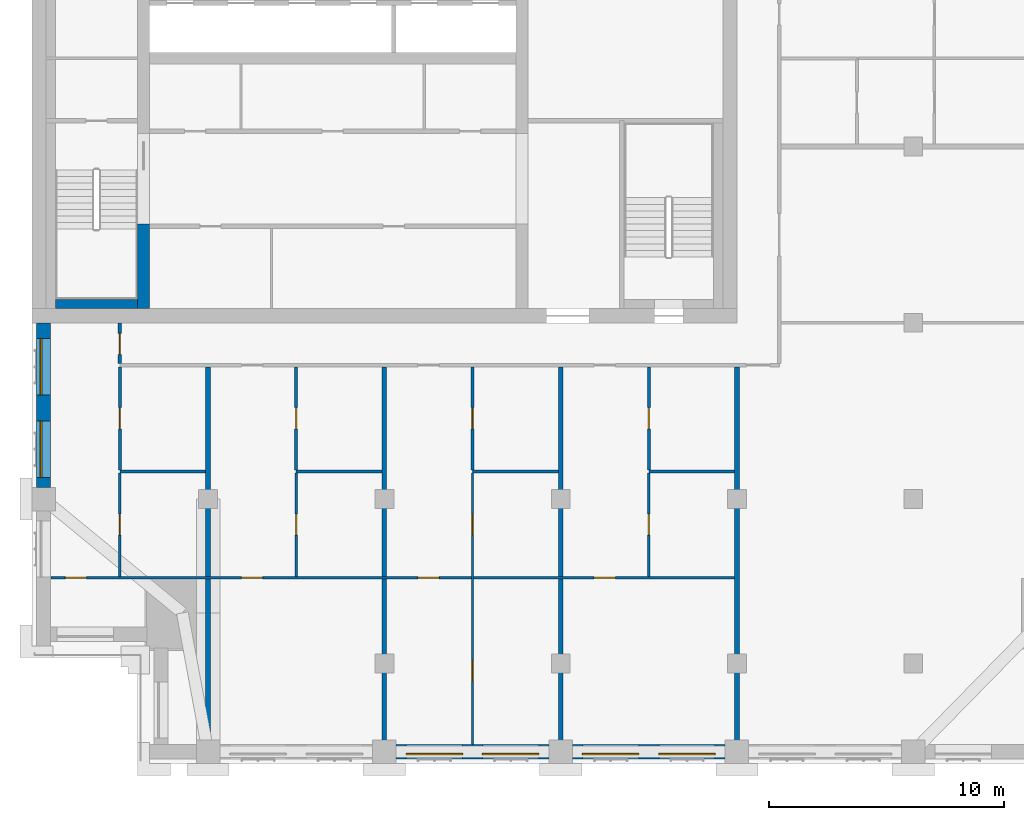
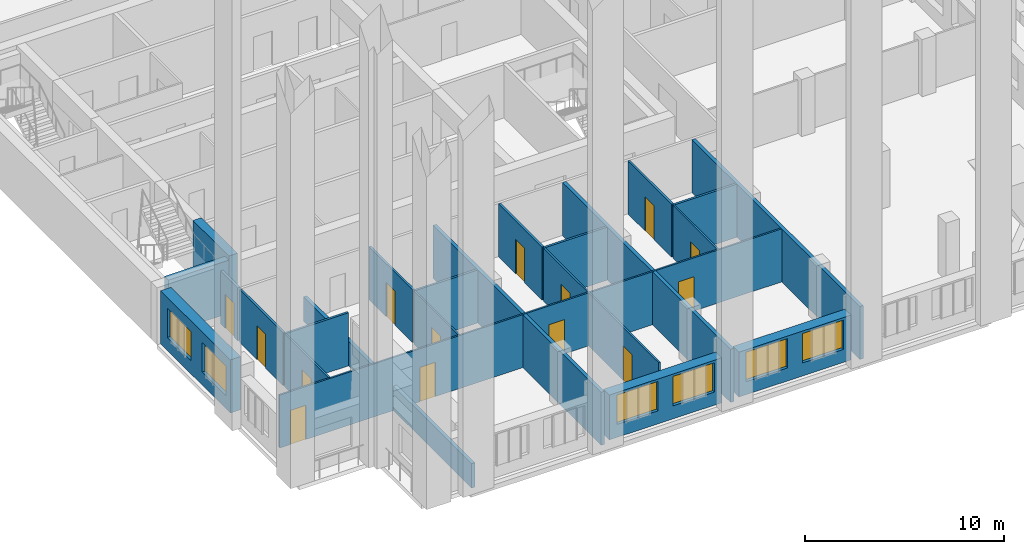
# One storey, part 3 of 12: 23 walls, 14 doors, 6 windows, 20 openings.
"""IFC4 building model written with IfcOpenShell, lengths in metres."""

from ifc_helpers import new_model, si_unit, direction, frame, frame_2d, origin, place, context, subcontext, project, spatial, rectangle, extrude, material, layer, layer_set, type_object, element, fill, save


model = new_model("IFC4")

# Units and contexts
model_context = context("Model", 3, precision=1e-05, world=origin(), true_north=direction((0.0, 1.0)))
body_context = subcontext(model_context, "Body", "Model", "MODEL_VIEW")
ifc_project = project(units=[si_unit("LENGTHUNIT", "METRE"), si_unit("AREAUNIT", "SQUARE_METRE"), si_unit("VOLUMEUNIT", "CUBIC_METRE"), si_unit("PLANEANGLEUNIT", "RADIAN"), si_unit("MASSUNIT", "GRAM", prefix="KILO")], contexts=[model_context])

# Site, building, storey
site_placement = place(None, origin())
site = spatial("IfcSite", under=ifc_project, at=site_placement, CompositionType="ELEMENT")
building_placement = place(site_placement, origin())
building = spatial("IfcBuilding", under=site, at=building_placement, Name="Tamorin Gate", CompositionType="ELEMENT")
storey_placement = place(building_placement, frame((0.0, 0.0, 219.699951171875)))
storey = spatial("IfcBuildingStorey", under=building, at=storey_placement, Name="L54", CompositionType="ELEMENT", Elevation=219.699951171875)

# Wall, openings, windows
ifc_material_1 = material(Name="Precast concrete C40/50", Category="concrete")
ifc_layer_1 = layer(ifc_material_1, 0.60009765625)
ifc_layer_set_1 = layer_set([ifc_layer_1], Name="Precast concrete C40/50")
wall_type_1 = type_object("IfcWallType", Name="Board-marked concrete facade panel 600", PredefinedType="SOLIDWALL", material=ifc_layer_set_1)
wall_1_placement = place(storey_placement, frame((45.5, 41.75, 0.0), z_axis=(0.0, 0.0, 1.0), x_axis=(1.0, 0.0, 0.0)))
wall_1 = element("IfcWall", 1, at=wall_1_placement, inside=storey, type_object=wall_type_1, Name="Facade panel", PredefinedType="SOLIDWALL", context=body_context, shape_type="SweptSolid", body=[
    extrude(rectangle(XDim=6.5, YDim=0.60009765625, at=frame_2d((3.25, 0.0))), origin(), (0.0, 0.0, 1.0), 2.75),
])
opening_1_placement = place(wall_1_placement, frame((0.425048828125, 0.0, 0.800048828125)))
opening_1 = element("IfcOpeningElement", 2, at=opening_1_placement, cuts=wall_1, Name="Opening WN1", PredefinedType="OPENING", context=body_context, shape_type="SweptSolid", body=[
    extrude(rectangle(XDim=2.39990234375, YDim=1.800048828125, at=frame_2d((1.199951171875, 0.89990234375))), frame((0.0, 0.31005859375, 0.0), z_axis=(0.0, -1.0, 0.0), x_axis=(1.0, 0.0, 0.0)), (0.0, 0.0, 1.0), 0.6201171875),
])
opening_2_placement = place(wall_1_placement, frame((3.675048828125, 0.0, 0.800048828125)))
opening_2 = element("IfcOpeningElement", 3, at=opening_2_placement, cuts=wall_1, Name="Opening WN1", PredefinedType="OPENING", context=body_context, shape_type="SweptSolid", body=[
    extrude(rectangle(XDim=2.39990234375, YDim=1.800048828125, at=frame_2d((1.199951171875, 0.89990234375))), frame((0.0, 0.31005859375, 0.0), z_axis=(0.0, -1.0, 0.0), x_axis=(1.0, 0.0, 0.0)), (0.0, 0.0, 1.0), 0.6201171875),
])
ifc_material_2 = material(Name="Clear glass in aluminium frame", Category="aluminium")
window_type = type_object("IfcWindowType", Name="Deep-set window 2400x1800", PartitioningType="SINGLE_PANEL", PredefinedType="WINDOW", material=ifc_material_2)
window_1_placement = place(opening_1_placement, origin())
window_1 = element("IfcWindow", 4, at=window_1_placement, inside=storey, type_object=window_type, Name="Deep-set window", OverallHeight=1.800048828125, OverallWidth=2.39990234375, PartitioningType="SINGLE_PANEL", PredefinedType="WINDOW", context=body_context, shape_type="SweptSolid", body=[
    extrude(rectangle(XDim=2.39990234375, YDim=1.800048828125, at=frame_2d((1.199951171875, 0.89990234375))), frame((0.0, -0.070068359375, 0.0), z_axis=(0.0, -1.0, 0.0), x_axis=(1.0, 0.0, 0.0)), (0.0, 0.0, 1.0), 0.06005859375),
])
fill(opening_1, window_1)
window_2_placement = place(opening_2_placement, origin())
window_2 = element("IfcWindow", 5, at=window_2_placement, inside=storey, type_object=window_type, Name="Deep-set window", OverallHeight=1.800048828125, OverallWidth=2.39990234375, PartitioningType="SINGLE_PANEL", PredefinedType="WINDOW", context=body_context, shape_type="SweptSolid", body=[
    extrude(rectangle(XDim=2.39990234375, YDim=1.800048828125, at=frame_2d((1.199951171875, 0.89990234375))), frame((0.0, -0.070068359375, 0.0), z_axis=(0.0, -1.0, 0.0), x_axis=(1.0, 0.0, 0.0)), (0.0, 0.0, 1.0), 0.06005859375),
])
fill(opening_2, window_2)

wall_2_placement = place(storey_placement, frame((53.0, 41.75, 0.0), z_axis=(0.0, 0.0, 1.0), x_axis=(1.0, 0.0, 0.0)))
wall_2 = element("IfcWall", 6, at=wall_2_placement, inside=storey, type_object=wall_type_1, Name="Facade panel", PredefinedType="SOLIDWALL", context=body_context, shape_type="SweptSolid", body=[
    extrude(rectangle(XDim=6.5, YDim=0.60009765625, at=frame_2d((3.25, 0.0))), origin(), (0.0, 0.0, 1.0), 2.75),
])
opening_3_placement = place(wall_2_placement, frame((0.425048828125, 0.0, 0.800048828125)))
opening_3 = element("IfcOpeningElement", 7, at=opening_3_placement, cuts=wall_2, Name="Opening WN1", PredefinedType="OPENING", context=body_context, shape_type="SweptSolid", body=[
    extrude(rectangle(XDim=2.39990234375, YDim=1.800048828125, at=frame_2d((1.199951171875, 0.89990234375))), frame((0.0, 0.31005859375, 0.0), z_axis=(0.0, -1.0, 0.0), x_axis=(1.0, 0.0, 0.0)), (0.0, 0.0, 1.0), 0.6201171875),
])
opening_4_placement = place(wall_2_placement, frame((3.675048828125, 0.0, 0.800048828125)))
opening_4 = element("IfcOpeningElement", 8, at=opening_4_placement, cuts=wall_2, Name="Opening WN1", PredefinedType="OPENING", context=body_context, shape_type="SweptSolid", body=[
    extrude(rectangle(XDim=2.39990234375, YDim=1.800048828125, at=frame_2d((1.199951171875, 0.89990234375))), frame((0.0, 0.31005859375, 0.0), z_axis=(0.0, -1.0, 0.0), x_axis=(1.0, 0.0, 0.0)), (0.0, 0.0, 1.0), 0.6201171875),
])
window_3_placement = place(opening_3_placement, origin())
window_3 = element("IfcWindow", 9, at=window_3_placement, inside=storey, type_object=window_type, Name="Deep-set window", OverallHeight=1.800048828125, OverallWidth=2.39990234375, PartitioningType="SINGLE_PANEL", PredefinedType="WINDOW", context=body_context, shape_type="SweptSolid", body=[
    extrude(rectangle(XDim=2.39990234375, YDim=1.800048828125, at=frame_2d((1.199951171875, 0.89990234375))), frame((0.0, -0.070068359375, 0.0), z_axis=(0.0, -1.0, 0.0), x_axis=(1.0, 0.0, 0.0)), (0.0, 0.0, 1.0), 0.06005859375),
])
fill(opening_3, window_3)
window_4_placement = place(opening_4_placement, origin())
window_4 = element("IfcWindow", 10, at=window_4_placement, inside=storey, type_object=window_type, Name="Deep-set window", OverallHeight=1.800048828125, OverallWidth=2.39990234375, PartitioningType="SINGLE_PANEL", PredefinedType="WINDOW", context=body_context, shape_type="SweptSolid", body=[
    extrude(rectangle(XDim=2.39990234375, YDim=1.800048828125, at=frame_2d((1.199951171875, 0.89990234375))), frame((0.0, -0.070068359375, 0.0), z_axis=(0.0, -1.0, 0.0), x_axis=(1.0, 0.0, 0.0)), (0.0, 0.0, 1.0), 0.06005859375),
])
fill(opening_4, window_4)

wall_3_placement = place(storey_placement, frame((30.5, 60.0, 0.0), z_axis=(0.0, 0.0, 1.0), x_axis=(0.0, -1.0, 0.0)))
wall_3 = element("IfcWall", 11, at=wall_3_placement, inside=storey, type_object=wall_type_1, Name="Facade panel", PredefinedType="SOLIDWALL", context=body_context, shape_type="SweptSolid", body=[
    extrude(rectangle(XDim=7.0, YDim=0.60009765625, at=frame_2d((3.5, 0.0))), origin(), (0.0, 0.0, 1.0), 3.25),
])
opening_5_placement = place(wall_3_placement, frame((4.175048828125, 0.0, 0.800048828125)))
opening_5 = element("IfcOpeningElement", 12, at=opening_5_placement, cuts=wall_3, Name="Opening WN1", PredefinedType="OPENING", context=body_context, shape_type="SweptSolid", body=[
    extrude(rectangle(XDim=2.39990234375, YDim=1.800048828125, at=frame_2d((1.199951171875, 0.89990234375))), frame((0.0, 0.31005859375, 0.0), z_axis=(0.0, -1.0, 0.0), x_axis=(1.0, 0.0, 0.0)), (0.0, 0.0, 1.0), 0.6201171875),
])
opening_6_placement = place(wall_3_placement, frame((0.675048828125, 0.0, 0.800048828125)))
opening_6 = element("IfcOpeningElement", 13, at=opening_6_placement, cuts=wall_3, Name="Opening WN1", PredefinedType="OPENING", context=body_context, shape_type="SweptSolid", body=[
    extrude(rectangle(XDim=2.39990234375, YDim=1.800048828125, at=frame_2d((1.199951171875, 0.89990234375))), frame((0.0, 0.31005859375, 0.0), z_axis=(0.0, -1.0, 0.0), x_axis=(1.0, 0.0, 0.0)), (0.0, 0.0, 1.0), 0.6201171875),
])
window_5_placement = place(opening_5_placement, origin())
window_5 = element("IfcWindow", 14, at=window_5_placement, inside=storey, type_object=window_type, Name="Deep-set window", OverallHeight=1.800048828125, OverallWidth=2.39990234375, PartitioningType="SINGLE_PANEL", PredefinedType="WINDOW", context=body_context, shape_type="SweptSolid", body=[
    extrude(rectangle(XDim=2.39990234375, YDim=1.800048828125, at=frame_2d((1.199951171875, 0.89990234375))), frame((0.0, -0.070068359375, 0.0), z_axis=(0.0, -1.0, 0.0), x_axis=(1.0, 0.0, 0.0)), (0.0, 0.0, 1.0), 0.06005859375),
])
fill(opening_5, window_5)
window_6_placement = place(opening_6_placement, origin())
window_6 = element("IfcWindow", 15, at=window_6_placement, inside=storey, type_object=window_type, Name="Deep-set window", OverallHeight=1.800048828125, OverallWidth=2.39990234375, PartitioningType="SINGLE_PANEL", PredefinedType="WINDOW", context=body_context, shape_type="SweptSolid", body=[
    extrude(rectangle(XDim=2.39990234375, YDim=1.800048828125, at=frame_2d((1.199951171875, 0.89990234375))), frame((0.0, -0.070068359375, 0.0), z_axis=(0.0, -1.0, 0.0), x_axis=(1.0, 0.0, 0.0)), (0.0, 0.0, 1.0), 0.06005859375),
])
fill(opening_6, window_6)

# Wall, opening, door
ifc_material_3 = material(Name="Gypsum board partition")
ifc_layer_2 = layer(ifc_material_3, 0.14990234375)
ifc_layer_set_2 = layer_set([ifc_layer_2], Name="Corridor wall 150")
wall_type_2 = type_object("IfcWallType", Name="Corridor wall 150", PredefinedType="PARTITIONING", material=ifc_layer_set_2)
wall_4_placement = place(storey_placement, frame((33.75, 58.27490234375, 0.0), z_axis=(0.0, 0.0, 1.0), x_axis=(0.0, 1.0, 0.0)))
wall_4 = element("IfcWall", 16, at=wall_4_placement, inside=storey, type_object=wall_type_2, Name="Corridor wall 150", PredefinedType="PARTITIONING", context=body_context, shape_type="SweptSolid", body=[
    extrude(rectangle(XDim=1.72509765625, YDim=0.14990234375, at=frame_2d((0.862548828125, 0.0))), origin(), (0.0, 0.0, 1.0), 3.25),
])
opening_7_placement = place(wall_4_placement, frame((0.375, 0.0, 0.0)))
opening_7 = element("IfcOpeningElement", 17, at=opening_7_placement, cuts=wall_4, Name="Opening DTF5001", PredefinedType="OPENING", context=body_context, shape_type="SweptSolid", body=[
    extrude(rectangle(XDim=0.89990234375, YDim=2.10009765625, at=frame_2d((0.449951171875, 1.050048828125))), frame((0.0, 0.0849609375, 0.0), z_axis=(0.0, -1.0, 0.0), x_axis=(1.0, 0.0, 0.0)), (0.0, 0.0, 1.0), 0.169921875),
])
ifc_material_4 = material(Name="Timber door leaf", Category="wood")
door_type_1 = type_object("IfcDoorType", Name="Door 900 x 2100 FD30S", OperationType="NOTDEFINED", PredefinedType="DOOR", material=ifc_material_4)
door_1_placement = place(opening_7_placement, origin())
door_1 = element("IfcDoor", 18, at=door_1_placement, inside=storey, type_object=door_type_1, Name="Door DTF5001", OperationType="SINGLE_SWING_RIGHT", OverallHeight=2.10009765625, OverallWidth=0.89990234375, PredefinedType="DOOR", context=body_context, shape_type="SweptSolid", body=[
    extrude(rectangle(XDim=0.89990234375, YDim=2.10009765625, at=frame_2d((0.449951171875, 1.050048828125))), frame((0.0, 0.02490234375, 0.0), z_axis=(0.0, -1.0, 0.0), x_axis=(1.0, 0.0, 0.0)), (0.0, 0.0, 1.0), 0.050048828125),
])
fill(opening_7, door_1)

# Walls
ifc_layer_3 = layer(ifc_material_3, 0.199951171875)
ifc_layer_set_3 = layer_set([ifc_layer_3], Name="Demising wall 200")
wall_type_3 = type_object("IfcWallType", Name="Demising wall 200", PredefinedType="PARTITIONING", material=ifc_layer_set_3)
wall_5_placement = place(storey_placement, frame((37.5, 41.25, 0.0), z_axis=(0.0, 0.0, 1.0), x_axis=(0.0, 1.0, 0.0)))
element("IfcWall", 19, at=wall_5_placement, inside=storey, type_object=wall_type_3, Name="Demising wall 200", PredefinedType="PARTITIONING", context=body_context, shape_type="SweptSolid", body=[
    extrude(rectangle(XDim=16.875, YDim=0.199951171875, at=frame_2d((8.4375, 0.0))), origin(), (0.0, 0.0, 1.0), 1.5),
])
for number, where, z_axis, x_axis, name in (
    (20, (45.0, 41.25, 0.0), (0.0, 0.0, 1.0), (0.0, 1.0, 0.0), "Demising wall 200"),
    (21, (52.5, 41.25, 0.0), (0.0, 0.0, 1.0), (0.0, 1.0, 0.0), "Demising wall 200"),
    (22, (60.0, 41.25, 0.0), (0.0, 0.0, 1.0), (0.0, 1.0, 0.0), "Demising wall 200"),
):
    element("IfcWall", number, at=place(storey_placement, frame(where, z_axis=z_axis, x_axis=x_axis)), inside=storey, type_object=wall_type_3, Name=name, PredefinedType="PARTITIONING", context=body_context, shape_type="SweptSolid", body=[
        extrude(rectangle(XDim=16.875, YDim=0.199951171875, at=frame_2d((8.4375, 0.0))), origin(), (0.0, 0.0, 1.0), 3.25),
    ])
ifc_material_5 = material(Name="Concrete C50/60", Category="concrete")
ifc_layer_4 = layer(ifc_material_5, 0.5)
ifc_layer_set_4 = layer_set([ifc_layer_4], Name="RC core internal wall 500 C50/60")
wall_type_4 = type_object("IfcWallType", Name="RC core internal wall 500 C50/60", PredefinedType="SHEAR", material=ifc_layer_set_4)
wall_6_placement = place(storey_placement, frame((34.75, 60.60009765625, 0.0), z_axis=(0.0, 0.0, 1.0), x_axis=(0.0, 1.0, 0.0)))
element("IfcWall", 23, at=wall_6_placement, inside=storey, type_object=wall_type_4, Name="Core cross wall L54", PredefinedType="SHEAR", context=body_context, shape_type="SweptSolid", body=[
    extrude(rectangle(XDim=3.599853515625, YDim=0.5, at=frame_2d((1.7998046875, 0.0))), origin(), (0.0, 0.0, 1.0), 3.5),
])

# Wall, openings, doors
ifc_layer_5 = layer(ifc_material_3, 0.10009765625)
ifc_layer_set_5 = layer_set([ifc_layer_5], Name="Room partition 100")
wall_type_5 = type_object("IfcWallType", Name="Room partition 100", PredefinedType="PARTITIONING", material=ifc_layer_set_5)
wall_7_placement = place(storey_placement, frame((30.81005859375, 49.14990234375, 0.0), z_axis=(0.0, 0.0, 1.0), x_axis=(1.0, 0.0, 0.0)))
wall_7 = element("IfcWall", 24, at=wall_7_placement, inside=storey, type_object=wall_type_5, Name="Room partition 100", PredefinedType="PARTITIONING", context=body_context, shape_type="SweptSolid", body=[
    extrude(rectangle(XDim=29.08984375, YDim=0.10009765625, at=frame_2d((14.544921875, 0.0))), origin(), (0.0, 0.0, 1.0), 3.25),
])
opening_8_placement = place(wall_7_placement, frame((0.614990234375, 0.0, 0.0)))
opening_8 = element("IfcOpeningElement", 25, at=opening_8_placement, cuts=wall_7, Name="Opening DTF5002", PredefinedType="OPENING", context=body_context, shape_type="SweptSolid", body=[
    extrude(rectangle(XDim=0.89990234375, YDim=2.10009765625, at=frame_2d((0.449951171875, 1.050048828125))), frame((0.0, 0.06005859375, 0.0), z_axis=(0.0, -1.0, 0.0), x_axis=(1.0, 0.0, 0.0)), (0.0, 0.0, 1.0), 0.1201171875),
])
opening_9_placement = place(wall_7_placement, frame((8.114990234375, 0.0, 0.0)))
opening_9 = element("IfcOpeningElement", 26, at=opening_9_placement, cuts=wall_7, Name="Opening DTF5006", PredefinedType="OPENING", context=body_context, shape_type="SweptSolid", body=[
    extrude(rectangle(XDim=0.89990234375, YDim=2.10009765625, at=frame_2d((0.449951171875, 1.050048828125))), frame((0.0, 0.06005859375, 0.0), z_axis=(0.0, -1.0, 0.0), x_axis=(1.0, 0.0, 0.0)), (0.0, 0.0, 1.0), 0.1201171875),
])
opening_10_placement = place(wall_7_placement, frame((15.614990234375, 0.0, 0.0)))
opening_10 = element("IfcOpeningElement", 27, at=opening_10_placement, cuts=wall_7, Name="Opening DTF5010", PredefinedType="OPENING", context=body_context, shape_type="SweptSolid", body=[
    extrude(rectangle(XDim=0.89990234375, YDim=2.10009765625, at=frame_2d((0.449951171875, 1.050048828125))), frame((0.0, 0.06005859375, 0.0), z_axis=(0.0, -1.0, 0.0), x_axis=(1.0, 0.0, 0.0)), (0.0, 0.0, 1.0), 0.1201171875),
])
opening_11_placement = place(wall_7_placement, frame((23.114990234375, 0.0, 0.0)))
opening_11 = element("IfcOpeningElement", 28, at=opening_11_placement, cuts=wall_7, Name="Opening DTF5015", PredefinedType="OPENING", context=body_context, shape_type="SweptSolid", body=[
    extrude(rectangle(XDim=0.89990234375, YDim=2.10009765625, at=frame_2d((0.449951171875, 1.050048828125))), frame((0.0, 0.06005859375, 0.0), z_axis=(0.0, -1.0, 0.0), x_axis=(1.0, 0.0, 0.0)), (0.0, 0.0, 1.0), 0.1201171875),
])
door_type_2 = type_object("IfcDoorType", Name="Door 900 x 2100", OperationType="NOTDEFINED", PredefinedType="DOOR", material=ifc_material_4)
door_2_placement = place(opening_8_placement, origin())
door_2 = element("IfcDoor", 29, at=door_2_placement, inside=storey, type_object=door_type_2, Name="Door DTF5002", OperationType="SINGLE_SWING_LEFT", OverallHeight=2.10009765625, OverallWidth=0.89990234375, PredefinedType="DOOR", context=body_context, shape_type="SweptSolid", body=[
    extrude(rectangle(XDim=0.89990234375, YDim=2.10009765625, at=frame_2d((0.449951171875, 1.050048828125))), frame((0.0, 0.02490234375, 0.0), z_axis=(0.0, -1.0, 0.0), x_axis=(1.0, 0.0, 0.0)), (0.0, 0.0, 1.0), 0.050048828125),
])
fill(opening_8, door_2)
door_3_placement = place(opening_9_placement, origin())
door_3 = element("IfcDoor", 30, at=door_3_placement, inside=storey, type_object=door_type_2, Name="Door DTF5006", OperationType="SINGLE_SWING_LEFT", OverallHeight=2.10009765625, OverallWidth=0.89990234375, PredefinedType="DOOR", context=body_context, shape_type="SweptSolid", body=[
    extrude(rectangle(XDim=0.89990234375, YDim=2.10009765625, at=frame_2d((0.449951171875, 1.050048828125))), frame((0.0, 0.02490234375, 0.0), z_axis=(0.0, -1.0, 0.0), x_axis=(1.0, 0.0, 0.0)), (0.0, 0.0, 1.0), 0.050048828125),
])
fill(opening_9, door_3)
door_4_placement = place(opening_10_placement, origin())
door_4 = element("IfcDoor", 31, at=door_4_placement, inside=storey, type_object=door_type_2, Name="Door DTF5010", OperationType="SINGLE_SWING_LEFT", OverallHeight=2.10009765625, OverallWidth=0.89990234375, PredefinedType="DOOR", context=body_context, shape_type="SweptSolid", body=[
    extrude(rectangle(XDim=0.89990234375, YDim=2.10009765625, at=frame_2d((0.449951171875, 1.050048828125))), frame((0.0, 0.02490234375, 0.0), z_axis=(0.0, -1.0, 0.0), x_axis=(1.0, 0.0, 0.0)), (0.0, 0.0, 1.0), 0.050048828125),
])
fill(opening_10, door_4)
door_5_placement = place(opening_11_placement, origin())
door_5 = element("IfcDoor", 32, at=door_5_placement, inside=storey, type_object=door_type_2, Name="Door DTF5015", OperationType="SINGLE_SWING_LEFT", OverallHeight=2.10009765625, OverallWidth=0.89990234375, PredefinedType="DOOR", context=body_context, shape_type="SweptSolid", body=[
    extrude(rectangle(XDim=0.89990234375, YDim=2.10009765625, at=frame_2d((0.449951171875, 1.050048828125))), frame((0.0, 0.02490234375, 0.0), z_axis=(0.0, -1.0, 0.0), x_axis=(1.0, 0.0, 0.0)), (0.0, 0.0, 1.0), 0.050048828125),
])
fill(opening_11, door_5)

# Wall, opening, door
wall_8_placement = place(storey_placement, frame((33.75, 49.199951171875, 0.0), z_axis=(0.0, 0.0, 1.0), x_axis=(0.0, 1.0, 0.0)))
wall_8 = element("IfcWall", 33, at=wall_8_placement, inside=storey, type_object=wall_type_5, Name="Room partition 100", PredefinedType="PARTITIONING", context=body_context, shape_type="SweptSolid", body=[
    extrude(rectangle(XDim=4.41259765625, YDim=0.10009765625, at=frame_2d((2.206298828125, 0.0))), origin(), (0.0, 0.0, 1.0), 3.25),
])
opening_12_placement = place(wall_8_placement, frame((1.762451171875, 0.0, 0.0)))
opening_12 = element("IfcOpeningElement", 34, at=opening_12_placement, cuts=wall_8, Name="Opening DTF5003", PredefinedType="OPENING", context=body_context, shape_type="SweptSolid", body=[
    extrude(rectangle(XDim=0.89990234375, YDim=2.10009765625, at=frame_2d((0.449951171875, 1.050048828125))), frame((0.0, 0.06005859375, 0.0), z_axis=(0.0, -1.0, 0.0), x_axis=(1.0, 0.0, 0.0)), (0.0, 0.0, 1.0), 0.1201171875),
])
door_6_placement = place(opening_12_placement, origin())
door_6 = element("IfcDoor", 35, at=door_6_placement, inside=storey, type_object=door_type_2, Name="Door DTF5003", OperationType="SINGLE_SWING_LEFT", OverallHeight=2.10009765625, OverallWidth=0.89990234375, PredefinedType="DOOR", context=body_context, shape_type="SweptSolid", body=[
    extrude(rectangle(XDim=0.89990234375, YDim=2.10009765625, at=frame_2d((0.449951171875, 1.050048828125))), frame((0.0, 0.02490234375, 0.0), z_axis=(0.0, -1.0, 0.0), x_axis=(1.0, 0.0, 0.0)), (0.0, 0.0, 1.0), 0.050048828125),
])
fill(opening_12, door_6)

wall_9_placement = place(storey_placement, frame((41.25, 49.199951171875, 0.0), z_axis=(0.0, 0.0, 1.0), x_axis=(0.0, 1.0, 0.0)))
wall_9 = element("IfcWall", 36, at=wall_9_placement, inside=storey, type_object=wall_type_5, Name="Room partition 100", PredefinedType="PARTITIONING", context=body_context, shape_type="SweptSolid", body=[
    extrude(rectangle(XDim=4.41259765625, YDim=0.10009765625, at=frame_2d((2.206298828125, 0.0))), origin(), (0.0, 0.0, 1.0), 3.25),
])
opening_13_placement = place(wall_9_placement, frame((1.762451171875, 0.0, 0.0)))
opening_13 = element("IfcOpeningElement", 37, at=opening_13_placement, cuts=wall_9, Name="Opening DTF5007", PredefinedType="OPENING", context=body_context, shape_type="SweptSolid", body=[
    extrude(rectangle(XDim=0.89990234375, YDim=2.10009765625, at=frame_2d((0.449951171875, 1.050048828125))), frame((0.0, 0.06005859375, 0.0), z_axis=(0.0, -1.0, 0.0), x_axis=(1.0, 0.0, 0.0)), (0.0, 0.0, 1.0), 0.1201171875),
])
door_7_placement = place(opening_13_placement, origin())
door_7 = element("IfcDoor", 38, at=door_7_placement, inside=storey, type_object=door_type_2, Name="Door DTF5007", OperationType="SINGLE_SWING_LEFT", OverallHeight=2.10009765625, OverallWidth=0.89990234375, PredefinedType="DOOR", context=body_context, shape_type="SweptSolid", body=[
    extrude(rectangle(XDim=0.89990234375, YDim=2.10009765625, at=frame_2d((0.449951171875, 1.050048828125))), frame((0.0, 0.02490234375, 0.0), z_axis=(0.0, -1.0, 0.0), x_axis=(1.0, 0.0, 0.0)), (0.0, 0.0, 1.0), 0.050048828125),
])
fill(opening_13, door_7)

# Wall, openings, doors
wall_10_placement = place(storey_placement, frame((48.75, 42.06005859375, 0.0), z_axis=(0.0, 0.0, 1.0), x_axis=(0.0, 1.0, 0.0)))
wall_10 = element("IfcWall", 39, at=wall_10_placement, inside=storey, type_object=wall_type_5, Name="Room partition 100", PredefinedType="PARTITIONING", context=body_context, shape_type="SweptSolid", body=[
    extrude(rectangle(XDim=11.552490234375, YDim=0.10009765625, at=frame_2d((5.7763671875, 0.0))), origin(), (0.0, 0.0, 1.0), 3.25),
])
opening_14_placement = place(wall_10_placement, frame((8.902587890625, 0.0, 0.0)))
opening_14 = element("IfcOpeningElement", 40, at=opening_14_placement, cuts=wall_10, Name="Opening DTF5011", PredefinedType="OPENING", context=body_context, shape_type="SweptSolid", body=[
    extrude(rectangle(XDim=0.89990234375, YDim=2.10009765625, at=frame_2d((0.449951171875, 1.050048828125))), frame((0.0, 0.06005859375, 0.0), z_axis=(0.0, -1.0, 0.0), x_axis=(1.0, 0.0, 0.0)), (0.0, 0.0, 1.0), 0.1201171875),
])
opening_15_placement = place(wall_10_placement, frame((2.68994140625, 0.0, 0.0)))
opening_15 = element("IfcOpeningElement", 41, at=opening_15_placement, cuts=wall_10, Name="Opening DTF5013", PredefinedType="OPENING", context=body_context, shape_type="SweptSolid", body=[
    extrude(rectangle(XDim=0.89990234375, YDim=2.10009765625, at=frame_2d((0.449951171875, 1.050048828125))), frame((0.0, 0.06005859375, 0.0), z_axis=(0.0, -1.0, 0.0), x_axis=(1.0, 0.0, 0.0)), (0.0, 0.0, 1.0), 0.1201171875),
])
door_8_placement = place(opening_14_placement, origin())
door_8 = element("IfcDoor", 42, at=door_8_placement, inside=storey, type_object=door_type_2, Name="Door DTF5011", OperationType="SINGLE_SWING_LEFT", OverallHeight=2.10009765625, OverallWidth=0.89990234375, PredefinedType="DOOR", context=body_context, shape_type="SweptSolid", body=[
    extrude(rectangle(XDim=0.89990234375, YDim=2.10009765625, at=frame_2d((0.449951171875, 1.050048828125))), frame((0.0, 0.02490234375, 0.0), z_axis=(0.0, -1.0, 0.0), x_axis=(1.0, 0.0, 0.0)), (0.0, 0.0, 1.0), 0.050048828125),
])
fill(opening_14, door_8)
door_9_placement = place(opening_15_placement, origin())
door_9 = element("IfcDoor", 43, at=door_9_placement, inside=storey, type_object=door_type_2, Name="Door DTF5013", OperationType="SINGLE_SWING_LEFT", OverallHeight=2.10009765625, OverallWidth=0.89990234375, PredefinedType="DOOR", context=body_context, shape_type="SweptSolid", body=[
    extrude(rectangle(XDim=0.89990234375, YDim=2.10009765625, at=frame_2d((0.449951171875, 1.050048828125))), frame((0.0, 0.02490234375, 0.0), z_axis=(0.0, -1.0, 0.0), x_axis=(1.0, 0.0, 0.0)), (0.0, 0.0, 1.0), 0.050048828125),
])
fill(opening_15, door_9)

# Wall, opening, door
wall_11_placement = place(storey_placement, frame((56.25, 49.199951171875, 0.0), z_axis=(0.0, 0.0, 1.0), x_axis=(0.0, 1.0, 0.0)))
wall_11 = element("IfcWall", 44, at=wall_11_placement, inside=storey, type_object=wall_type_5, Name="Room partition 100", PredefinedType="PARTITIONING", context=body_context, shape_type="SweptSolid", body=[
    extrude(rectangle(XDim=4.41259765625, YDim=0.10009765625, at=frame_2d((2.206298828125, 0.0))), origin(), (0.0, 0.0, 1.0), 3.25),
])
opening_16_placement = place(wall_11_placement, frame((1.762451171875, 0.0, 0.0)))
opening_16 = element("IfcOpeningElement", 45, at=opening_16_placement, cuts=wall_11, Name="Opening DTF5016", PredefinedType="OPENING", context=body_context, shape_type="SweptSolid", body=[
    extrude(rectangle(XDim=0.89990234375, YDim=2.10009765625, at=frame_2d((0.449951171875, 1.050048828125))), frame((0.0, 0.06005859375, 0.0), z_axis=(0.0, -1.0, 0.0), x_axis=(1.0, 0.0, 0.0)), (0.0, 0.0, 1.0), 0.1201171875),
])
door_10_placement = place(opening_16_placement, origin())
door_10 = element("IfcDoor", 46, at=door_10_placement, inside=storey, type_object=door_type_2, Name="Door DTF5016", OperationType="SINGLE_SWING_LEFT", OverallHeight=2.10009765625, OverallWidth=0.89990234375, PredefinedType="DOOR", context=body_context, shape_type="SweptSolid", body=[
    extrude(rectangle(XDim=0.89990234375, YDim=2.10009765625, at=frame_2d((0.449951171875, 1.050048828125))), frame((0.0, 0.02490234375, 0.0), z_axis=(0.0, -1.0, 0.0), x_axis=(1.0, 0.0, 0.0)), (0.0, 0.0, 1.0), 0.050048828125),
])
fill(opening_16, door_10)

# Walls
ifc_layer_6 = layer(ifc_material_5, 0.39990234375)
ifc_layer_set_6 = layer_set([ifc_layer_6], Name="Stair lining wall 400 EI 120 C50/60")
wall_type_6 = type_object("IfcWallType", Name="Stair lining wall 400 EI 120 C50/60", PredefinedType="SOLIDWALL", material=ifc_layer_set_6)
wall_12_placement = place(storey_placement, frame((31.0, 60.800048828125, 0.0), z_axis=(0.0, 0.0, 1.0), x_axis=(1.0, 0.0, 0.0)))
element("IfcWall", 47, at=wall_12_placement, inside=storey, type_object=wall_type_6, Name="Stair lining wall", PredefinedType="SOLIDWALL", context=body_context, shape_type="SweptSolid", body=[
    extrude(rectangle(XDim=3.5, YDim=0.39990234375, at=frame_2d((1.75, 0.0))), origin(), (0.0, 0.0, 1.0), 3.25),
])
ifc_layer_7 = layer(ifc_material_3, 0.125)
ifc_layer_set_7 = layer_set([ifc_layer_7], Name="Wet wall 125")
wall_type_7 = type_object("IfcWallType", Name="Wet wall 125", PredefinedType="PARTITIONING", material=ifc_layer_set_7)
for number, where, z_axis, x_axis, name in (
    (48, (33.75, 53.675048828125, 0.0), (0.0, 0.0, 1.0), (1.0, 0.0, 0.0), "Wet wall 125"),
    (49, (41.25, 53.675048828125, 0.0), (0.0, 0.0, 1.0), (1.0, 0.0, 0.0), "Wet wall 125"),
    (50, (48.75, 53.675048828125, 0.0), (0.0, 0.0, 1.0), (1.0, 0.0, 0.0), "Wet wall 125"),
    (51, (56.25, 53.675048828125, 0.0), (0.0, 0.0, 1.0), (1.0, 0.0, 0.0), "Wet wall 125"),
):
    element("IfcWall", number, at=place(storey_placement, frame(where, z_axis=z_axis, x_axis=x_axis)), inside=storey, type_object=wall_type_7, Name=name, PredefinedType="PARTITIONING", context=body_context, shape_type="SweptSolid", body=[
        extrude(rectangle(XDim=3.64990234375, YDim=0.125, at=frame_2d((1.824951171875, 0.0))), origin(), (0.0, 0.0, 1.0), 3.25),
    ])

# Wall, opening, door
wall_13_placement = place(storey_placement, frame((33.75, 53.737548828125, 0.0), z_axis=(0.0, 0.0, 1.0), x_axis=(0.0, 1.0, 0.0)))
wall_13 = element("IfcWall", 52, at=wall_13_placement, inside=storey, type_object=wall_type_7, Name="Wet wall 125", PredefinedType="PARTITIONING", context=body_context, shape_type="SweptSolid", body=[
    extrude(rectangle(XDim=4.387451171875, YDim=0.125, at=frame_2d((2.19384765625, 0.0))), origin(), (0.0, 0.0, 1.0), 3.25),
])
opening_17_placement = place(wall_13_placement, frame((1.75, 0.0, 0.0)))
opening_17 = element("IfcOpeningElement", 53, at=opening_17_placement, cuts=wall_13, Name="Opening DTF5004", PredefinedType="OPENING", context=body_context, shape_type="SweptSolid", body=[
    extrude(rectangle(XDim=0.89990234375, YDim=2.10009765625, at=frame_2d((0.449951171875, 1.050048828125))), frame((0.0, 0.072509765625, 0.0), z_axis=(0.0, -1.0, 0.0), x_axis=(1.0, 0.0, 0.0)), (0.0, 0.0, 1.0), 0.14501953125),
])
door_11_placement = place(opening_17_placement, origin())
door_11 = element("IfcDoor", 54, at=door_11_placement, inside=storey, type_object=door_type_2, Name="Door DTF5004", OperationType="SINGLE_SWING_RIGHT", OverallHeight=2.10009765625, OverallWidth=0.89990234375, PredefinedType="DOOR", context=body_context, shape_type="SweptSolid", body=[
    extrude(rectangle(XDim=0.89990234375, YDim=2.10009765625, at=frame_2d((0.449951171875, 1.050048828125))), frame((0.0, 0.02490234375, 0.0), z_axis=(0.0, -1.0, 0.0), x_axis=(1.0, 0.0, 0.0)), (0.0, 0.0, 1.0), 0.050048828125),
])
fill(opening_17, door_11)

wall_14_placement = place(storey_placement, frame((41.25, 53.737548828125, 0.0), z_axis=(0.0, 0.0, 1.0), x_axis=(0.0, 1.0, 0.0)))
wall_14 = element("IfcWall", 55, at=wall_14_placement, inside=storey, type_object=wall_type_7, Name="Wet wall 125", PredefinedType="PARTITIONING", context=body_context, shape_type="SweptSolid", body=[
    extrude(rectangle(XDim=4.387451171875, YDim=0.125, at=frame_2d((2.19384765625, 0.0))), origin(), (0.0, 0.0, 1.0), 3.25),
])
opening_18_placement = place(wall_14_placement, frame((1.75, 0.0, 0.0)))
opening_18 = element("IfcOpeningElement", 56, at=opening_18_placement, cuts=wall_14, Name="Opening DTF5008", PredefinedType="OPENING", context=body_context, shape_type="SweptSolid", body=[
    extrude(rectangle(XDim=0.89990234375, YDim=2.10009765625, at=frame_2d((0.449951171875, 1.050048828125))), frame((0.0, 0.072509765625, 0.0), z_axis=(0.0, -1.0, 0.0), x_axis=(1.0, 0.0, 0.0)), (0.0, 0.0, 1.0), 0.14501953125),
])
door_12_placement = place(opening_18_placement, origin())
door_12 = element("IfcDoor", 57, at=door_12_placement, inside=storey, type_object=door_type_2, Name="Door DTF5008", OperationType="SINGLE_SWING_RIGHT", OverallHeight=2.10009765625, OverallWidth=0.89990234375, PredefinedType="DOOR", context=body_context, shape_type="SweptSolid", body=[
    extrude(rectangle(XDim=0.89990234375, YDim=2.10009765625, at=frame_2d((0.449951171875, 1.050048828125))), frame((0.0, 0.02490234375, 0.0), z_axis=(0.0, -1.0, 0.0), x_axis=(1.0, 0.0, 0.0)), (0.0, 0.0, 1.0), 0.050048828125),
])
fill(opening_18, door_12)

wall_15_placement = place(storey_placement, frame((48.75, 53.737548828125, 0.0), z_axis=(0.0, 0.0, 1.0), x_axis=(0.0, 1.0, 0.0)))
wall_15 = element("IfcWall", 58, at=wall_15_placement, inside=storey, type_object=wall_type_7, Name="Wet wall 125", PredefinedType="PARTITIONING", context=body_context, shape_type="SweptSolid", body=[
    extrude(rectangle(XDim=4.387451171875, YDim=0.125, at=frame_2d((2.19384765625, 0.0))), origin(), (0.0, 0.0, 1.0), 3.25),
])
opening_19_placement = place(wall_15_placement, frame((1.75, 0.0, 0.0)))
opening_19 = element("IfcOpeningElement", 59, at=opening_19_placement, cuts=wall_15, Name="Opening DTF5012", PredefinedType="OPENING", context=body_context, shape_type="SweptSolid", body=[
    extrude(rectangle(XDim=0.89990234375, YDim=2.10009765625, at=frame_2d((0.449951171875, 1.050048828125))), frame((0.0, 0.072509765625, 0.0), z_axis=(0.0, -1.0, 0.0), x_axis=(1.0, 0.0, 0.0)), (0.0, 0.0, 1.0), 0.14501953125),
])
door_13_placement = place(opening_19_placement, origin())
door_13 = element("IfcDoor", 60, at=door_13_placement, inside=storey, type_object=door_type_2, Name="Door DTF5012", OperationType="SINGLE_SWING_RIGHT", OverallHeight=2.10009765625, OverallWidth=0.89990234375, PredefinedType="DOOR", context=body_context, shape_type="SweptSolid", body=[
    extrude(rectangle(XDim=0.89990234375, YDim=2.10009765625, at=frame_2d((0.449951171875, 1.050048828125))), frame((0.0, 0.02490234375, 0.0), z_axis=(0.0, -1.0, 0.0), x_axis=(1.0, 0.0, 0.0)), (0.0, 0.0, 1.0), 0.050048828125),
])
fill(opening_19, door_13)

wall_16_placement = place(storey_placement, frame((56.25, 53.737548828125, 0.0), z_axis=(0.0, 0.0, 1.0), x_axis=(0.0, 1.0, 0.0)))
wall_16 = element("IfcWall", 61, at=wall_16_placement, inside=storey, type_object=wall_type_7, Name="Wet wall 125", PredefinedType="PARTITIONING", context=body_context, shape_type="SweptSolid", body=[
    extrude(rectangle(XDim=4.387451171875, YDim=0.125, at=frame_2d((2.19384765625, 0.0))), origin(), (0.0, 0.0, 1.0), 3.25),
])
opening_20_placement = place(wall_16_placement, frame((1.75, 0.0, 0.0)))
opening_20 = element("IfcOpeningElement", 62, at=opening_20_placement, cuts=wall_16, Name="Opening DTF5017", PredefinedType="OPENING", context=body_context, shape_type="SweptSolid", body=[
    extrude(rectangle(XDim=0.89990234375, YDim=2.10009765625, at=frame_2d((0.449951171875, 1.050048828125))), frame((0.0, 0.072509765625, 0.0), z_axis=(0.0, -1.0, 0.0), x_axis=(1.0, 0.0, 0.0)), (0.0, 0.0, 1.0), 0.14501953125),
])
door_14_placement = place(opening_20_placement, origin())
door_14 = element("IfcDoor", 63, at=door_14_placement, inside=storey, type_object=door_type_2, Name="Door DTF5017", OperationType="SINGLE_SWING_RIGHT", OverallHeight=2.10009765625, OverallWidth=0.89990234375, PredefinedType="DOOR", context=body_context, shape_type="SweptSolid", body=[
    extrude(rectangle(XDim=0.89990234375, YDim=2.10009765625, at=frame_2d((0.449951171875, 1.050048828125))), frame((0.0, 0.02490234375, 0.0), z_axis=(0.0, -1.0, 0.0), x_axis=(1.0, 0.0, 0.0)), (0.0, 0.0, 1.0), 0.050048828125),
])
fill(opening_20, door_14)

save(model, "model.ifc")
